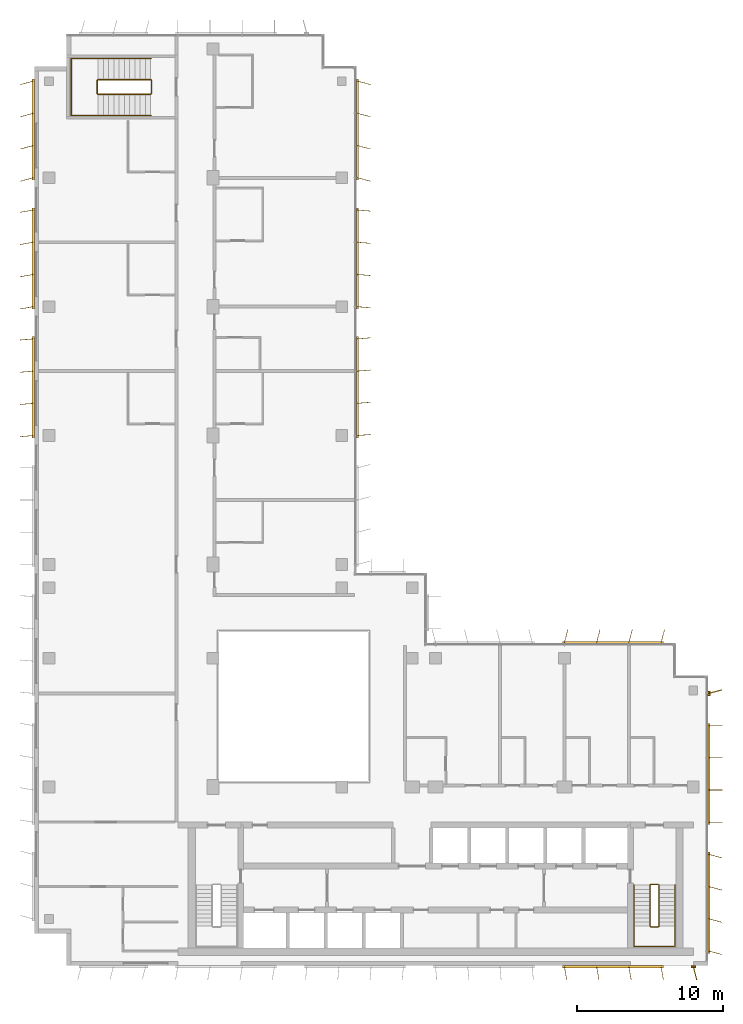
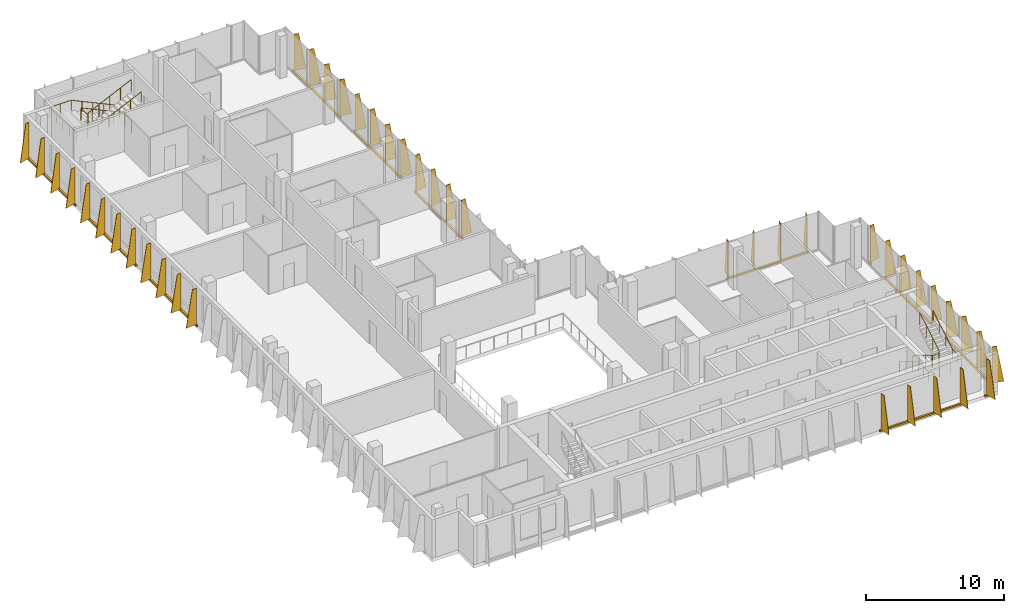
# One storey, part 14 of 15: 12 shading devices, 4 railings.
"""IFC4 building model written with IfcOpenShell, lengths in metres."""

import ifcopenshell
import ifcopenshell.guid

model = None  # the IFC model being written
_history = None  # IfcOwnerHistory: only IFC2X3 demands one
_inside = {}  # id of a spatial element -> (the spatial element, [elements in it])
_under = {}  # id of a project, library or spatial element -> (it, [spatial elements below it])
_declared = {}  # id of a project -> (the project, [libraries it declares])
_typed = {}  # id of a type object -> (the type object, [elements of that type])
_made_of = {}  # id of a material, layer set ... -> (it, [elements and type objects made of it])


def new_model(schema):
    """Start an empty IFC model of exactly this schema.

    Asked for "IFC4X3", IfcOpenShell would pick the latest addendum, in which some entities
    have other attributes; the version numbers below select the first issue.
    IFC2X3 requires an IfcOwnerHistory on every rooted entity: one is made here for all.
    """
    global model, _history
    if schema == "IFC4X3":
        model = ifcopenshell.file(schema_version=(4, 3, 0, 0))
    else:
        model = ifcopenshell.file(schema=schema)
    _inside.clear()
    _under.clear()
    _declared.clear()
    _typed.clear()
    _made_of.clear()
    _history = None
    if model.schema == "IFC2X3":
        org = make("IfcOrganization", Name="unknown")
        user = make(
            "IfcPersonAndOrganization",
            ThePerson=make("IfcPerson", FamilyName="unknown"),
            TheOrganization=org,
        )
        app = make(
            "IfcApplication",
            ApplicationDeveloper=org,
            Version="unknown",
            ApplicationFullName="unknown",
            ApplicationIdentifier="unknown",
        )
        _history = make(
            "IfcOwnerHistory",
            OwningUser=user,
            OwningApplication=app,
            ChangeAction="ADDED",
            CreationDate=0,
        )
    return model


def make(cls, **values):
    """One entity of the class cls with the attributes given. An attribute that is None is left unset."""
    return model.create_entity(
        cls, **{name: value for name, value in values.items() if value is not None}
    )


def rooted(cls, **values):
    """An entity with a GlobalId (a new one), such as an element, a storey or a relation."""
    return make(cls, GlobalId=ifcopenshell.guid.new(), OwnerHistory=_history, **values)


def si_unit(unit_type, name, prefix=None):
    """IfcSIUnit, for example si_unit("LENGTHUNIT", "METRE", prefix="MILLI")."""
    return make("IfcSIUnit", UnitType=unit_type, Prefix=prefix, Name=name)


def assignment(units):
    """IfcUnitAssignment: the units of a project."""
    return None if units is None else make("IfcUnitAssignment", Units=units)


def point(xyz):
    """IfcCartesianPoint."""
    return None if xyz is None else make("IfcCartesianPoint", Coordinates=xyz)


def direction(xyz):
    """IfcDirection."""
    return None if xyz is None else make("IfcDirection", DirectionRatios=xyz)


def frame(location, z_axis=None, x_axis=None):
    """IfcAxis2Placement3D, a coordinate frame: its origin and axes. An axis left out is left unset."""
    return make(
        "IfcAxis2Placement3D",
        Location=point(location),
        Axis=direction(z_axis),
        RefDirection=direction(x_axis),
    )


def frame_2d(location, x_axis=None):
    """IfcAxis2Placement2D, a coordinate frame in the plane: its origin and x axis."""
    return make(
        "IfcAxis2Placement2D", Location=point(location), RefDirection=direction(x_axis)
    )


def origin():
    """The frame at (0, 0, 0) with its axes left unset."""
    return frame((0.0, 0.0, 0.0))


def origin_2d():
    """The frame at (0, 0) in the plane with its x axis left unset."""
    return frame_2d((0.0, 0.0))


def place(relative_to, where):
    """IfcLocalPlacement: puts the frame where relative to a parent placement (None: the world)."""
    return make(
        "IfcLocalPlacement", PlacementRelTo=relative_to, RelativePlacement=where
    )


def context(
    kind, dimensions, precision=None, world=None, true_north=None, identifier=None
):
    """IfcGeometricRepresentationContext, for example the 3D "Model" context."""
    return make(
        "IfcGeometricRepresentationContext",
        ContextIdentifier=identifier,
        ContextType=kind,
        CoordinateSpaceDimension=dimensions,
        Precision=precision,
        WorldCoordinateSystem=world,
        TrueNorth=true_north,
    )


def subcontext(parent, identifier, kind, view, scale=None):
    """IfcGeometricRepresentationSubContext, for example "Body" below "Model"."""
    return make(
        "IfcGeometricRepresentationSubContext",
        ContextIdentifier=identifier,
        ContextType=kind,
        ParentContext=parent,
        TargetScale=scale,
        TargetView=view,
    )


def project(units=None, contexts=None):
    """IfcProject with its units and contexts."""
    return rooted(
        "IfcProject",
        Name="project",
        RepresentationContexts=contexts,
        UnitsInContext=assignment(units),
    )


def spatial(cls, under=None, at=None, **own):
    """A site, building, storey or space (cls), placed at a placement, below another one or the project."""
    s = rooted(cls, ObjectPlacement=at, **own)
    if under is not None:
        _under.setdefault(under.id(), (under, []))[1].append(s)
    return s


def polyline(points):
    """IfcPolyline through the points."""
    return make("IfcPolyline", Points=[point(p) for p in points])


def profile(cls, at=None, kind="AREA", **sizes):
    """A parametric profile (cls). Its sizes go by their IFC names, for example OverallWidth=200.0."""
    return make(cls, ProfileType=kind, Position=at, **sizes)


def rectangle(**sizes):
    """IfcRectangleProfileDef."""
    return profile("IfcRectangleProfileDef", **sizes)


def circle(**sizes):
    """IfcCircleProfileDef."""
    return profile("IfcCircleProfileDef", **sizes)


def outline(outer, holes=None, kind="AREA"):
    """IfcArbitraryClosedProfileDef: a profile drawn as a closed curve; with holes, ...WithVoids."""
    if holes is None:
        return make("IfcArbitraryClosedProfileDef", ProfileType=kind, OuterCurve=outer)
    return make(
        "IfcArbitraryProfileDefWithVoids",
        ProfileType=kind,
        OuterCurve=outer,
        InnerCurves=holes,
    )


def extrude(swept, where, along, depth):
    """IfcExtrudedAreaSolid: the profile swept, set in the frame where, extruded along a direction by depth."""
    return make(
        "IfcExtrudedAreaSolid",
        SweptArea=swept,
        Position=where,
        ExtrudedDirection=direction(along),
        Depth=depth,
    )


def shape(context_of_items, identifier, shape_type, items):
    """IfcShapeRepresentation: the items that make up one representation, for example the "Body"."""
    return make(
        "IfcShapeRepresentation",
        ContextOfItems=context_of_items,
        RepresentationIdentifier=identifier,
        RepresentationType=shape_type,
        Items=items,
    )


def source(mapping_origin, context_of_items, identifier, shape_type, items):
    """IfcRepresentationMap: a shape defined once, which mapped items show again and again."""
    return make(
        "IfcRepresentationMap",
        MappingOrigin=mapping_origin,
        MappedRepresentation=shape(context_of_items, identifier, shape_type, items),
    )


def transform(
    local_origin,
    x_axis=None,
    y_axis=None,
    z_axis=None,
    scale=None,
    scale2=None,
    scale3=None,
    uniform=True,
):
    """IfcCartesianTransformationOperator3D, or its non-uniform kind. x_axis, y_axis, z_axis: its Axis1, 2, 3."""
    if uniform:
        return make(
            "IfcCartesianTransformationOperator3D",
            Axis1=direction(x_axis),
            Axis2=direction(y_axis),
            LocalOrigin=point(local_origin),
            Scale=scale,
            Axis3=direction(z_axis),
        )
    return make(
        "IfcCartesianTransformationOperator3DnonUniform",
        Axis1=direction(x_axis),
        Axis2=direction(y_axis),
        LocalOrigin=point(local_origin),
        Scale=scale,
        Axis3=direction(z_axis),
        Scale2=scale2,
        Scale3=scale3,
    )


def mapped(mapping_source, mapping_target):
    """IfcMappedItem: shows the shape of a source again, moved by a transform."""
    return make(
        "IfcMappedItem", MappingSource=mapping_source, MappingTarget=mapping_target
    )


def material(Name=None, Category=None):
    """IfcMaterial."""
    return make("IfcMaterial", Name=Name, Category=Category)


def layer(
    of_material, thickness, ventilated=None, Name=None, Category=None, Priority=None
):
    """IfcMaterialLayer: one layer of a wall or slab, of a material (None: an air gap)."""
    return make(
        "IfcMaterialLayer",
        Material=of_material,
        LayerThickness=thickness,
        IsVentilated=ventilated,
        Name=Name,
        Category=Category,
        Priority=Priority,
    )


def layer_set(layers, Name=None):
    """IfcMaterialLayerSet."""
    return make("IfcMaterialLayerSet", MaterialLayers=layers, LayerSetName=Name)


def made_of(thing, what):
    """Note that an element or type object is made of a material, layer set ...; save() writes the relation."""
    if what is not None:
        _made_of.setdefault(what.id(), (what, []))[1].append(thing)
    return thing


def type_object(cls, material=None, **own):
    """A type object (cls), such as IfcWallType, which elements share."""
    return made_of(rooted(cls, **own), material)


def element(
    cls,
    number,
    at=None,
    inside=None,
    cuts=None,
    type_object=None,
    material=None,
    context=None,
    identifier="Body",
    shape_type=None,
    held_by="IfcProductDefinitionShape",
    body=None,
    shapes=None,
    **own,
):
    """One element of the class cls, such as IfcWall. Its Tag is "e" and its number.

    at: its placement. inside: the storey or other place that contains it. cuts: it is an
    opening in that element (IfcRelVoidsElement). A single representation is given by context,
    identifier, shape_type and body (its items); several are given by shapes. held_by: the class
    of the entity that holds the representations. save() writes the other relations.
    """
    e = rooted(cls, Tag="e%d" % number, ObjectPlacement=at, **own)
    if body is not None:
        shapes = [shape(context, identifier, shape_type, body)]
    if shapes is not None:
        e.Representation = make(held_by, Representations=shapes)
    if inside is not None:
        _inside.setdefault(inside.id(), (inside, []))[1].append(e)
    if cuts is not None:
        rooted(
            "IfcRelVoidsElement", RelatingBuildingElement=cuts, RelatedOpeningElement=e
        )
    if type_object is not None:
        _typed.setdefault(type_object.id(), (type_object, []))[1].append(e)
    return made_of(e, material)


def aggregate(whole, parts):
    """IfcRelAggregates: a whole, such as a stair, and the parts it consists of."""
    return rooted("IfcRelAggregates", RelatingObject=whole, RelatedObjects=parts)


def save(model, path):
    """Write the relations noted so far, then the file.

    IfcRelAggregates (storeys below a building ...), IfcRelContainedInSpatialStructure (elements
    in a storey), IfcRelDefinesByType, IfcRelAssociatesMaterial and IfcRelDeclares: one each for
    every whole, place, type object, material and project.
    """
    for whole, parts in _under.values():
        aggregate(whole, parts)
    for where, things in _inside.values():
        rooted(
            "IfcRelContainedInSpatialStructure",
            RelatedElements=things,
            RelatingStructure=where,
        )
    for kind, things in _typed.values():
        rooted("IfcRelDefinesByType", RelatedObjects=things, RelatingType=kind)
    for what, things in _made_of.values():
        rooted("IfcRelAssociatesMaterial", RelatedObjects=things, RelatingMaterial=what)
    for by, libraries in _declared.values():
        rooted("IfcRelDeclares", RelatingContext=by, RelatedDefinitions=libraries)
    model.write(path)


model = new_model("IFC4")

# Units and contexts
model_context = context("Model", 3, precision=1e-05, world=origin(), true_north=direction((0.0, 1.0)))
body_context = subcontext(model_context, "Body", "Model", "MODEL_VIEW")
ifc_project = project(units=[si_unit("LENGTHUNIT", "METRE"), si_unit("AREAUNIT", "SQUARE_METRE"), si_unit("VOLUMEUNIT", "CUBIC_METRE"), si_unit("PLANEANGLEUNIT", "RADIAN"), si_unit("MASSUNIT", "GRAM", prefix="KILO")], contexts=[model_context])

# Site, building, storey
site_placement = place(None, origin())
site = spatial("IfcSite", under=ifc_project, at=site_placement, CompositionType="ELEMENT")
building_placement = place(site_placement, origin())
building = spatial("IfcBuilding", under=site, at=building_placement, Name="Kemantara Hotel Tower", CompositionType="ELEMENT")
storey_placement = place(building_placement, frame((0.0, 0.0, 298.10009765625)))
storey = spatial("IfcBuildingStorey", under=building, at=storey_placement, Name="L75", CompositionType="ELEMENT", Elevation=298.10009765625)

# Railings
ifc_material_1 = material(Name="Stainless steel balustrade", Category="steel")
railing_type_1 = type_object("IfcRailingType", Name="Stair guard 1100 mm", PredefinedType="GUARDRAIL", material=ifc_material_1)
railing_1_placement = place(storey_placement, frame((42.64990234375, 5.5, 3.699951171875)))
element("IfcRailing", 1, at=railing_1_placement, inside=storey, type_object=railing_type_1, Name="L75 ST2 stair guard 1", PredefinedType="GUARDRAIL", context=body_context, shape_type="SweptSolid", body=[
    extrude(circle(Radius=0.02392578125, at=origin_2d()), frame((0.0, 0.0, 1.076171875), z_axis=(0.0, -0.857242210791, -0.514913383045), x_axis=(1.0, 0.0, 0.0)), (0.0, 0.0, 1.0), 3.266357421875),
    extrude(circle(Radius=0.02392578125, at=origin_2d()), frame((0.0, -2.800048828125, -0.60595703125), z_axis=(-0.273006030465, -0.27434429532, -0.922064485248), x_axis=(0.708833529934, -0.705375805398, 0.0)), (0.0, 0.0, 1.0), 0.182373046875),
    extrude(circle(Radius=0.02392578125, at=origin_2d()), frame((-0.0498046875, -2.85009765625, -0.77392578125), z_axis=(-1.0, 0.0, 0.0), x_axis=(0.0, -1.0, 0.0)), (0.0, 0.0, 1.0), 0.5),
    extrude(circle(Radius=0.02392578125, at=origin_2d()), frame((-0.5498046875, -2.85009765625, -0.77392578125), z_axis=(-0.707106781187, 0.707106781187, 0.0), x_axis=(-0.707106781187, -0.707106781187, 0.0)), (0.0, 0.0, 1.0), 0.07080078125),
    extrude(circle(Radius=0.02392578125, at=origin_2d()), frame((-0.599853515625, -2.800048828125, -0.77392578125), z_axis=(0.0, 0.857242210791, -0.514913383045), x_axis=(-1.0, 0.0, 0.0)), (0.0, 0.0, 1.0), 3.266357421875),
    extrude(circle(Radius=0.02392578125, at=origin_2d()), frame((-0.599853515625, 0.0, -2.4560546875), z_axis=(0.274582412415, 0.274582412415, -0.921525364591), x_axis=(-0.707106781187, 0.707106781187, 0.0)), (0.0, 0.0, 1.0), 0.182373046875),
    extrude(circle(Radius=0.02392578125, at=origin_2d()), frame((-0.5498046875, 0.050048828125, -2.6240234375), z_axis=(1.0, 0.0, 0.0), x_axis=(0.0, 1.0, 0.0)), (0.0, 0.0, 1.0), 0.5),
    extrude(circle(Radius=0.02099609375, at=origin_2d()), origin(), (0.0, 0.0, 1.0), 1.052001953125),
    extrude(circle(Radius=0.02099609375, at=origin_2d()), frame((0.0, -0.933349609375, -0.560546875)), (0.0, 0.0, 1.0), 1.052001953125),
    extrude(circle(Radius=0.02099609375, at=origin_2d()), frame((0.0, -1.86669921875, -1.121337890625)), (0.0, 0.0, 1.0), 1.052001953125),
    extrude(circle(Radius=0.02099609375, at=origin_2d()), frame((0.0, -2.800048828125, -1.681884765625)), (0.0, 0.0, 1.0), 1.052001953125),
    extrude(circle(Radius=0.02099609375, at=origin_2d()), frame((-0.0498046875, -2.85009765625, -1.85009765625)), (0.0, 0.0, 1.0), 1.052001953125),
    extrude(circle(Radius=0.02099609375, at=origin_2d()), frame((-0.5498046875, -2.85009765625, -1.85009765625)), (0.0, 0.0, 1.0), 1.052001953125),
    extrude(circle(Radius=0.02099609375, at=origin_2d()), frame((-0.599853515625, -2.800048828125, -1.85009765625)), (0.0, 0.0, 1.0), 1.052001953125),
    extrude(circle(Radius=0.02099609375, at=origin_2d()), frame((-0.599853515625, -1.86669921875, -2.41064453125)), (0.0, 0.0, 1.0), 1.052001953125),
    extrude(circle(Radius=0.02099609375, at=origin_2d()), frame((-0.599853515625, -0.933349609375, -2.971435546875)), (0.0, 0.0, 1.0), 1.052001953125),
    extrude(circle(Radius=0.02099609375, at=origin_2d()), frame((-0.599853515625, 0.0, -3.531982421875)), (0.0, 0.0, 1.0), 1.052001953125),
    extrude(circle(Radius=0.02099609375, at=origin_2d()), frame((-0.5498046875, 0.050048828125, -3.699951171875)), (0.0, 0.0, 1.0), 1.052001953125),
    extrude(circle(Radius=0.02099609375, at=origin_2d()), frame((-0.0498046875, 0.050048828125, -3.699951171875)), (0.0, 0.0, 1.0), 1.052001953125),
])
railing_2_placement = place(storey_placement, frame((7.949951171875, 59.5, 3.699951171875)))
element("IfcRailing", 2, at=railing_2_placement, inside=storey, type_object=railing_type_1, Name="L75 ST4 stair guard 1", PredefinedType="GUARDRAIL", context=body_context, shape_type="SweptSolid", body=[
    extrude(circle(Radius=0.02392578125, at=origin_2d()), frame((0.0, 0.0, 1.076171875), z_axis=(-0.905994681025, 0.0, -0.423289071386), x_axis=(0.0, -1.0, 0.0)), (0.0, 0.0, 1.0), 3.973388671875),
    extrude(circle(Radius=0.02392578125, at=origin_2d()), frame((-3.599853515625, 0.0, -0.60595703125), z_axis=(-0.274243871929, 0.274243871929, -0.92172696468), x_axis=(-0.707106781187, -0.707106781187, 0.0)), (0.0, 0.0, 1.0), 0.1826171875),
    extrude(circle(Radius=0.02392578125, at=origin_2d()), frame((-3.64990234375, 0.050048828125, -0.77392578125), z_axis=(0.0, 1.0, 0.0), x_axis=(-1.0, 0.0, 0.0)), (0.0, 0.0, 1.0), 0.89990234375),
    extrude(circle(Radius=0.02392578125, at=origin_2d()), frame((-3.64990234375, 0.949951171875, -0.77392578125), z_axis=(0.707106781187, 0.707106781187, 0.0), x_axis=(-0.707106781187, 0.707106781187, 0.0)), (0.0, 0.0, 1.0), 0.07080078125),
    extrude(circle(Radius=0.02392578125, at=origin_2d()), frame((-3.599853515625, 1.0, -0.77392578125), z_axis=(0.905994681025, 0.0, -0.423289071386), x_axis=(0.0, 1.0, 0.0)), (0.0, 0.0, 1.0), 3.973388671875),
    extrude(circle(Radius=0.02392578125, at=origin_2d()), frame((0.0, 1.0, -2.4560546875), z_axis=(0.274582412415, -0.274582412415, -0.921525364591), x_axis=(0.707106781187, 0.707106781187, 0.0)), (0.0, 0.0, 1.0), 0.182373046875),
    extrude(circle(Radius=0.02392578125, at=origin_2d()), frame((0.050048828125, 0.949951171875, -2.6240234375), z_axis=(0.0, -1.0, 0.0), x_axis=(1.0, 0.0, 0.0)), (0.0, 0.0, 1.0), 0.89990234375),
    extrude(circle(Radius=0.02099609375, at=origin_2d()), origin(), (0.0, 0.0, 1.0), 1.052001953125),
    extrude(circle(Radius=0.02099609375, at=origin_2d()), frame((-0.89990234375, 0.0, -0.42041015625)), (0.0, 0.0, 1.0), 1.052001953125),
    extrude(circle(Radius=0.02099609375, at=origin_2d()), frame((-1.7998046875, 0.0, -0.8408203125)), (0.0, 0.0, 1.0), 1.052001953125),
    extrude(circle(Radius=0.02099609375, at=origin_2d()), frame((-2.699951171875, 0.0, -1.261474609375)), (0.0, 0.0, 1.0), 1.052001953125),
    extrude(circle(Radius=0.02099609375, at=origin_2d()), frame((-3.599853515625, 0.0, -1.681884765625)), (0.0, 0.0, 1.0), 1.052001953125),
    extrude(circle(Radius=0.02099609375, at=origin_2d()), frame((-3.64990234375, 0.050048828125, -1.85009765625)), (0.0, 0.0, 1.0), 1.052001953125),
    extrude(circle(Radius=0.02099609375, at=origin_2d()), frame((-3.64990234375, 0.949951171875, -1.85009765625)), (0.0, 0.0, 1.0), 1.052001953125),
    extrude(circle(Radius=0.02099609375, at=origin_2d()), frame((-3.599853515625, 1.0, -1.85009765625)), (0.0, 0.0, 1.0), 1.052001953125),
    extrude(circle(Radius=0.02099609375, at=origin_2d()), frame((-2.699951171875, 1.0, -2.2705078125)), (0.0, 0.0, 1.0), 1.052001953125),
    extrude(circle(Radius=0.02099609375, at=origin_2d()), frame((-1.7998046875, 1.0, -2.69091796875)), (0.0, 0.0, 1.0), 1.052001953125),
    extrude(circle(Radius=0.02099609375, at=origin_2d()), frame((-0.89990234375, 1.0, -3.111572265625)), (0.0, 0.0, 1.0), 1.052001953125),
    extrude(circle(Radius=0.02099609375, at=origin_2d()), frame((0.0, 1.0, -3.531982421875)), (0.0, 0.0, 1.0), 1.052001953125),
    extrude(circle(Radius=0.02099609375, at=origin_2d()), frame((0.050048828125, 0.949951171875, -3.699951171875)), (0.0, 0.0, 1.0), 1.052001953125),
    extrude(circle(Radius=0.02099609375, at=origin_2d()), frame((0.050048828125, 0.050048828125, -3.699951171875)), (0.0, 0.0, 1.0), 1.052001953125),
])
railing_type_2 = type_object("IfcRailingType", Name="Stair handrail 900 mm", PredefinedType="HANDRAIL", material=ifc_material_1)
railing_3_placement = place(storey_placement, frame((40.949951171875, 5.5, 0.16796875)))
element("IfcRailing", 3, at=railing_3_placement, inside=storey, type_object=railing_type_2, Name="L75 ST2 stair handrail 1", PredefinedType="HANDRAIL", context=body_context, shape_type="SweptSolid", body=[
    extrude(circle(Radius=0.02392578125, at=origin_2d()), frame((0.0, 0.0, 0.8759765625), z_axis=(0.0, -0.857242210791, 0.514913383045), x_axis=(1.0, 0.0, 0.0)), (0.0, 0.0, 1.0), 3.266357421875),
    extrude(circle(Radius=0.02392578125, at=origin_2d()), frame((0.0, -2.800048828125, 2.5576171875), z_axis=(0.0, -1.0, 0.0), x_axis=(1.0, 0.0, 0.0)), (0.0, 0.0, 1.0), 1.3798828125),
    extrude(circle(Radius=0.02392578125, at=origin_2d()), frame((0.0, -4.179931640625, 2.5576171875), z_axis=(0.998200367801, 0.0, 0.059966871865), x_axis=(0.0, 1.0, 0.0)), (0.0, 0.0, 1.0), 2.80517578125),
    extrude(circle(Radius=0.02392578125, at=origin_2d()), frame((2.800048828125, -4.179931640625, 2.72607421875), z_axis=(0.0, 1.0, 0.0), x_axis=(-1.0, 0.0, 0.0)), (0.0, 0.0, 1.0), 1.3798828125),
    extrude(circle(Radius=0.02392578125, at=origin_2d()), frame((2.800048828125, -2.800048828125, 2.72607421875), z_axis=(0.0, 0.857242210791, 0.514913383045), x_axis=(-1.0, 0.0, 0.0)), (0.0, 0.0, 1.0), 3.266357421875),
    extrude(circle(Radius=0.02099609375, at=origin_2d()), origin(), (0.0, 0.0, 1.0), 0.851806640625),
    extrude(circle(Radius=0.02099609375, at=origin_2d()), frame((0.0, -0.933349609375, 0.560546875)), (0.0, 0.0, 1.0), 0.851806640625),
    extrude(circle(Radius=0.02099609375, at=origin_2d()), frame((0.0, -1.86669921875, 1.121337890625)), (0.0, 0.0, 1.0), 0.851806640625),
    extrude(circle(Radius=0.02099609375, at=origin_2d()), frame((0.0, -2.800048828125, 1.681884765625)), (0.0, 0.0, 1.0), 0.851806640625),
    extrude(circle(Radius=0.02099609375, at=origin_2d()), frame((0.0, -3.489990234375, 1.681884765625)), (0.0, 0.0, 1.0), 0.851806640625),
    extrude(circle(Radius=0.02099609375, at=origin_2d()), frame((0.0, -4.179931640625, 1.681884765625)), (0.0, 0.0, 1.0), 0.851806640625),
    extrude(circle(Radius=0.02099609375, at=origin_2d()), frame((0.933349609375, -4.179931640625, 1.738037109375)), (0.0, 0.0, 1.0), 0.851806640625),
    extrude(circle(Radius=0.02099609375, at=origin_2d()), frame((1.86669921875, -4.179931640625, 1.7939453125)), (0.0, 0.0, 1.0), 0.851806640625),
    extrude(circle(Radius=0.02099609375, at=origin_2d()), frame((2.800048828125, -4.179931640625, 1.85009765625)), (0.0, 0.0, 1.0), 0.851806640625),
    extrude(circle(Radius=0.02099609375, at=origin_2d()), frame((2.800048828125, -3.489990234375, 1.85009765625)), (0.0, 0.0, 1.0), 0.851806640625),
    extrude(circle(Radius=0.02099609375, at=origin_2d()), frame((2.800048828125, -2.800048828125, 1.85009765625)), (0.0, 0.0, 1.0), 0.851806640625),
    extrude(circle(Radius=0.02099609375, at=origin_2d()), frame((2.800048828125, -1.86669921875, 2.41064453125)), (0.0, 0.0, 1.0), 0.851806640625),
    extrude(circle(Radius=0.02099609375, at=origin_2d()), frame((2.800048828125, -0.933349609375, 2.971435546875)), (0.0, 0.0, 1.0), 0.851806640625),
    extrude(circle(Radius=0.02099609375, at=origin_2d()), frame((2.800048828125, 0.0, 3.531982421875)), (0.0, 0.0, 1.0), 0.851806640625),
])
railing_4_placement = place(storey_placement, frame((7.949951171875, 61.949951171875, 0.16796875)))
element("IfcRailing", 4, at=railing_4_placement, inside=storey, type_object=railing_type_2, Name="L75 ST4 stair handrail 1", PredefinedType="HANDRAIL", context=body_context, shape_type="SweptSolid", body=[
    extrude(circle(Radius=0.02392578125, at=origin_2d()), frame((0.0, 0.0, 0.8759765625), z_axis=(-0.905994681025, 0.0, 0.423289071386), x_axis=(0.0, -1.0, 0.0)), (0.0, 0.0, 1.0), 3.973388671875),
    extrude(circle(Radius=0.02392578125, at=origin_2d()), frame((-3.599853515625, 0.0, 2.5576171875), z_axis=(-1.0, 0.0, 0.0), x_axis=(0.0, -1.0, 0.0)), (0.0, 0.0, 1.0), 1.830078125),
    extrude(circle(Radius=0.02392578125, at=origin_2d()), frame((-5.429931640625, 0.0, 2.5576171875), z_axis=(0.0, -0.999071085748, 0.043092523981), x_axis=(1.0, 0.0, 0.0)), (0.0, 0.0, 1.0), 3.903564453125),
    extrude(circle(Radius=0.02392578125, at=origin_2d()), frame((-5.429931640625, -3.89990234375, 2.72607421875), z_axis=(1.0, 0.0, 0.0), x_axis=(0.0, 1.0, 0.0)), (0.0, 0.0, 1.0), 1.830078125),
    extrude(circle(Radius=0.02392578125, at=origin_2d()), frame((-3.599853515625, -3.89990234375, 2.72607421875), z_axis=(0.905994681025, 0.0, 0.423289071386), x_axis=(0.0, 1.0, 0.0)), (0.0, 0.0, 1.0), 3.973388671875),
    extrude(circle(Radius=0.02099609375, at=origin_2d()), origin(), (0.0, 0.0, 1.0), 0.851806640625),
    extrude(circle(Radius=0.02099609375, at=origin_2d()), frame((-0.89990234375, 0.0, 0.42041015625)), (0.0, 0.0, 1.0), 0.851806640625),
    extrude(circle(Radius=0.02099609375, at=origin_2d()), frame((-1.7998046875, 0.0, 0.8408203125)), (0.0, 0.0, 1.0), 0.851806640625),
    extrude(circle(Radius=0.02099609375, at=origin_2d()), frame((-2.699951171875, 0.0, 1.261474609375)), (0.0, 0.0, 1.0), 0.851806640625),
    extrude(circle(Radius=0.02099609375, at=origin_2d()), frame((-3.599853515625, 0.0, 1.681884765625)), (0.0, 0.0, 1.0), 0.851806640625),
    extrude(circle(Radius=0.02099609375, at=origin_2d()), frame((-4.514892578125, 0.0, 1.681884765625)), (0.0, 0.0, 1.0), 0.851806640625),
    extrude(circle(Radius=0.02099609375, at=origin_2d()), frame((-5.429931640625, 0.0, 1.681884765625)), (0.0, 0.0, 1.0), 0.851806640625),
    extrude(circle(Radius=0.02099609375, at=origin_2d()), frame((-5.429931640625, -0.97509765625, 1.723876953125)), (0.0, 0.0, 1.0), 0.851806640625),
    extrude(circle(Radius=0.02099609375, at=origin_2d()), frame((-5.429931640625, -1.949951171875, 1.76611328125)), (0.0, 0.0, 1.0), 0.851806640625),
    extrude(circle(Radius=0.02099609375, at=origin_2d()), frame((-5.429931640625, -2.9248046875, 1.80810546875)), (0.0, 0.0, 1.0), 0.851806640625),
    extrude(circle(Radius=0.02099609375, at=origin_2d()), frame((-5.429931640625, -3.89990234375, 1.85009765625)), (0.0, 0.0, 1.0), 0.851806640625),
    extrude(circle(Radius=0.02099609375, at=origin_2d()), frame((-4.514892578125, -3.89990234375, 1.85009765625)), (0.0, 0.0, 1.0), 0.851806640625),
    extrude(circle(Radius=0.02099609375, at=origin_2d()), frame((-3.599853515625, -3.89990234375, 1.85009765625)), (0.0, 0.0, 1.0), 0.851806640625),
    extrude(circle(Radius=0.02099609375, at=origin_2d()), frame((-2.699951171875, -3.89990234375, 2.2705078125)), (0.0, 0.0, 1.0), 0.851806640625),
    extrude(circle(Radius=0.02099609375, at=origin_2d()), frame((-1.7998046875, -3.89990234375, 2.69091796875)), (0.0, 0.0, 1.0), 0.851806640625),
    extrude(circle(Radius=0.02099609375, at=origin_2d()), frame((-0.89990234375, -3.89990234375, 3.111572265625)), (0.0, 0.0, 1.0), 0.851806640625),
    extrude(circle(Radius=0.02099609375, at=origin_2d()), frame((0.0, -3.89990234375, 3.531982421875)), (0.0, 0.0, 1.0), 0.851806640625),
])

# Shading devices
ifc_material_2 = material(Name="Perforated aluminium plate 4 mm bronze anodised", Category="aluminium")
ifc_layer_1 = layer(ifc_material_2, 0.0400390625)
ifc_layer_set_1 = layer_set([ifc_layer_1], Name="Perforated aluminium plate 4 mm bronze anodised")
shading_device_type_1 = type_object("IfcShadingDeviceType", Name="SCREEN FIN CASSETTE, 4 BLADES AT -5.0 DEG, 3200 HIGH", PredefinedType="USERDEFINED", material=ifc_layer_set_1)
shared_shape_1 = source(origin(), body_context, "Body", "SweptSolid", [
    extrude(rectangle(XDim=6.89990234375, YDim=0.14990234375, at=origin_2d()), frame((3.300048828125, -0.074951171875, -0.14990234375), z_axis=(0.0, 0.0, 1.0), x_axis=(1.0, 0.0, 0.0)), (0.0, 0.0, 1.0), 0.14990234375),
    extrude(outline(polyline([(0.0, 0.0), (0.89990234375, 0.0), (0.35009765625, 3.199951171875), (0.0, 3.199951171875), (0.0, 0.0)])), frame((0.02001953125, -0.07666015625, 0.0), z_axis=(-0.996376129781, 0.085056498884, 0.0), x_axis=(-0.085056498884, -0.996376129781, 0.0)), (0.0, 0.0, 1.0), 0.040283203125),
    extrude(outline(polyline([(0.0, 0.0), (0.89990234375, 0.0), (0.35009765625, 3.199951171875), (0.0, 3.199951171875), (0.0, 0.0)])), frame((2.219970703125, -0.07666015625, 0.0), z_axis=(-0.996331773833, 0.085574508182, 0.0), x_axis=(-0.085574508182, -0.996331773833, 0.0)), (0.0, 0.0, 1.0), 0.0400390625),
    extrude(outline(polyline([(0.0, 0.0), (0.89990234375, 0.0), (0.35009765625, 3.199951171875), (0.0, 3.199951171875), (0.0, 0.0)])), frame((4.419921875, -0.07666015625, 0.0), z_axis=(-0.996331773833, 0.085574508182, 0.0), x_axis=(-0.085574508182, -0.996331773833, 0.0)), (0.0, 0.0, 1.0), 0.0400390625),
    extrude(outline(polyline([(0.0, 0.0), (0.89990234375, 0.0), (0.35009765625, 3.199951171875), (0.0, 3.199951171875), (0.0, 0.0)])), frame((6.619873046875, -0.07666015625, 0.0), z_axis=(-0.996331773833, 0.085574508182, 0.0), x_axis=(-0.085574508182, -0.996331773833, 0.0)), (0.0, 0.0, 1.0), 0.0400390625),
])
shading_device_1_placement = place(storey_placement, frame((22.0, 45.0, 0.099853515625), z_axis=(0.0, 0.0, 1.0), x_axis=(0.0, 1.0, 0.0)))
element("IfcShadingDevice", 5, at=shading_device_1_placement, inside=storey, type_object=shading_device_type_1, Name="SCREEN FIN CASSETTE L75 T4-R15-3", ObjectType="SCREEN FIN", PredefinedType="USERDEFINED", context=body_context, shape_type="MappedRepresentation", body=[
    mapped(shared_shape_1, transform((0.0, 0.0, 0.0))),
])
ifc_layer_2 = layer(ifc_material_2, 0.0400390625)
ifc_layer_set_2 = layer_set([ifc_layer_2], Name="Perforated aluminium plate 4 mm bronze anodised")
shading_device_type_2 = type_object("IfcShadingDeviceType", Name="SCREEN FIN CASSETTE, 4 BLADES AT +0.0 DEG, 3200 HIGH", PredefinedType="USERDEFINED", material=ifc_layer_set_2)
shared_shape_2 = source(origin(), body_context, "Body", "SweptSolid", [
    extrude(rectangle(XDim=6.89990234375, YDim=0.14990234375, at=origin_2d()), frame((3.300048828125, -0.074951171875, -0.14990234375), z_axis=(0.0, 0.0, 1.0), x_axis=(1.0, 0.0, 0.0)), (0.0, 0.0, 1.0), 0.14990234375),
    extrude(outline(polyline([(0.0, 0.0), (0.89990234375, 0.0), (0.35009765625, 3.199951171875), (0.0, 3.199951171875), (0.0, 0.0)])), frame((0.02001953125, -0.074951171875, 0.0), z_axis=(-1.0, 0.0, 0.0), x_axis=(0.0, -1.0, 0.0)), (0.0, 0.0, 1.0), 0.0400390625),
    extrude(outline(polyline([(0.0, 0.0), (0.89990234375, 0.0), (0.35009765625, 3.199951171875), (0.0, 3.199951171875), (0.0, 0.0)])), frame((2.219970703125, -0.074951171875, 0.0), z_axis=(-1.0, 0.0, 0.0), x_axis=(0.0, -1.0, 0.0)), (0.0, 0.0, 1.0), 0.0400390625),
    extrude(outline(polyline([(0.0, 0.0), (0.89990234375, 0.0), (0.35009765625, 3.199951171875), (0.0, 3.199951171875), (0.0, 0.0)])), frame((4.419921875, -0.074951171875, 0.0), z_axis=(-1.0, 0.0, 0.0), x_axis=(0.0, -1.0, 0.0)), (0.0, 0.0, 1.0), 0.0400390625),
    extrude(outline(polyline([(0.0, 0.0), (0.89990234375, 0.0), (0.35009765625, 3.199951171875), (0.0, 3.199951171875), (0.0, 0.0)])), frame((6.6201171875, -0.074951171875, 0.0), z_axis=(-1.0, 0.0, 0.0), x_axis=(0.0, -1.0, 0.0)), (0.0, 0.0, 1.0), 0.0400390625),
])
shading_device_2_placement = place(storey_placement, frame((46.0, 9.800048828125, 0.099853515625), z_axis=(0.0, 0.0, 1.0), x_axis=(0.0, 1.0, 0.0)))
element("IfcShadingDevice", 6, at=shading_device_2_placement, inside=storey, type_object=shading_device_type_2, Name="SCREEN FIN CASSETTE L75 T4-R09-2", ObjectType="SCREEN FIN", PredefinedType="USERDEFINED", context=body_context, shape_type="MappedRepresentation", body=[
    mapped(shared_shape_2, transform((0.0, 0.0, 0.0))),
])
ifc_layer_3 = layer(ifc_material_2, 0.0400390625)
ifc_layer_set_3 = layer_set([ifc_layer_3], Name="Perforated aluminium plate 4 mm bronze anodised")
shading_device_type_3 = type_object("IfcShadingDeviceType", Name="SCREEN FIN CASSETTE, 4 BLADES AT +5.0 DEG, 3200 HIGH", PredefinedType="USERDEFINED", material=ifc_layer_set_3)
shared_shape_3 = source(origin(), body_context, "Body", "SweptSolid", [
    extrude(rectangle(XDim=6.89990234375, YDim=0.14990234375, at=origin_2d()), frame((3.300048828125, -0.074951171875, -0.14990234375), z_axis=(0.0, 0.0, 1.0), x_axis=(1.0, 0.0, 0.0)), (0.0, 0.0, 1.0), 0.14990234375),
    extrude(outline(polyline([(0.0, 0.0), (0.89990234375, 0.0), (0.35009765625, 3.199951171875), (0.0, 3.199951171875), (0.0, 0.0)])), frame((0.02001953125, -0.0732421875, 0.0), z_axis=(-0.996376129781, -0.085056498884, 0.0), x_axis=(0.085056498884, -0.996376129781, 0.0)), (0.0, 0.0, 1.0), 0.040283203125),
    extrude(outline(polyline([(0.0, 0.0), (0.89990234375, 0.0), (0.35009765625, 3.199951171875), (0.0, 3.199951171875), (0.0, 0.0)])), frame((2.219970703125, -0.0732421875, 0.0), z_axis=(-0.996331773833, -0.085574508182, 0.0), x_axis=(0.085574508182, -0.996331773833, 0.0)), (0.0, 0.0, 1.0), 0.0400390625),
    extrude(outline(polyline([(0.0, 0.0), (0.89990234375, 0.0), (0.35009765625, 3.199951171875), (0.0, 3.199951171875), (0.0, 0.0)])), frame((4.419921875, -0.0732421875, 0.0), z_axis=(-0.996331773833, -0.085574508182, 0.0), x_axis=(0.085574508182, -0.996331773833, 0.0)), (0.0, 0.0, 1.0), 0.0400390625),
    extrude(outline(polyline([(0.0, 0.0), (0.89990234375, 0.0), (0.35009765625, 3.199951171875), (0.0, 3.199951171875), (0.0, 0.0)])), frame((6.619873046875, -0.0732421875, 0.0), z_axis=(-0.996331773833, -0.085574508182, 0.0), x_axis=(0.085574508182, -0.996331773833, 0.0)), (0.0, 0.0, 1.0), 0.0400390625),
])
for number, where, z_axis, x_axis, name in (
    (7, (0.0, 42.800048828125, 0.099853515625), (0.0, 0.0, 1.0), (0.0, -1.0, 0.0), "SCREEN FIN CASSETTE L75 T4-R05-3"),
    (8, (22.0, 36.199951171875, 0.099853515625), (0.0, 0.0, 1.0), (0.0, 1.0, 0.0), "SCREEN FIN CASSETTE L75 T4-R15-2"),
):
    element("IfcShadingDevice", number, at=place(storey_placement, frame(where, z_axis=z_axis, x_axis=x_axis)), inside=storey, type_object=shading_device_type_3, Name=name, ObjectType="SCREEN FIN", PredefinedType="USERDEFINED", context=body_context, shape_type="MappedRepresentation", body=[
        mapped(shared_shape_3, transform((0.0, 0.0, 0.0))),
    ])
ifc_layer_4 = layer(ifc_material_2, 0.0400390625)
ifc_layer_set_4 = layer_set([ifc_layer_4], Name="Perforated aluminium plate 4 mm bronze anodised")
shading_device_type_4 = type_object("IfcShadingDeviceType", Name="SCREEN FIN CASSETTE, 4 BLADES AT +10.0 DEG, 3200 HIGH", PredefinedType="USERDEFINED", material=ifc_layer_set_4)
shared_shape_4 = source(origin(), body_context, "Body", "SweptSolid", [
    extrude(rectangle(XDim=6.89990234375, YDim=0.14990234375, at=origin_2d()), frame((3.300048828125, -0.074951171875, -0.14990234375), z_axis=(0.0, 0.0, 1.0), x_axis=(1.0, 0.0, 0.0)), (0.0, 0.0, 1.0), 0.14990234375),
    extrude(outline(polyline([(0.0, 0.0), (0.89990234375, 0.0), (0.35009765625, 3.199951171875), (0.0, 3.199951171875), (0.0, 0.0)])), frame((0.019775390625, -0.071533203125, 0.0), z_axis=(-0.985389793052, -0.170314285219, 0.0), x_axis=(0.170314285219, -0.985389793052, 0.0)), (0.0, 0.0, 1.0), 0.0400390625),
    extrude(outline(polyline([(0.0, 0.0), (0.89990234375, 0.0), (0.35009765625, 3.199951171875), (0.0, 3.199951171875), (0.0, 0.0)])), frame((2.2197265625, -0.071533203125, 0.0), z_axis=(-0.98521175482, -0.171341174751, 0.0), x_axis=(0.171341174751, -0.98521175482, 0.0)), (0.0, 0.0, 1.0), 0.039794921875),
    extrude(outline(polyline([(0.0, 0.0), (0.89990234375, 0.0), (0.35009765625, 3.199951171875), (0.0, 3.199951171875), (0.0, 0.0)])), frame((4.419677734375, -0.071533203125, 0.0), z_axis=(-0.98521175482, -0.171341174751, 0.0), x_axis=(0.171341174751, -0.98521175482, 0.0)), (0.0, 0.0, 1.0), 0.039794921875),
    extrude(outline(polyline([(0.0, 0.0), (0.89990234375, 0.0), (0.35009765625, 3.199951171875), (0.0, 3.199951171875), (0.0, 0.0)])), frame((6.61962890625, -0.071533203125, 0.0), z_axis=(-0.98521175482, -0.171341174751, 0.0), x_axis=(0.171341174751, -0.98521175482, 0.0)), (0.0, 0.0, 1.0), 0.039794921875),
])
for number, where, z_axis, x_axis, name in (
    (9, (0.0, 51.60009765625, 0.099853515625), (0.0, 0.0, 1.0), (0.0, -1.0, 0.0), "SCREEN FIN CASSETTE L75 T4-R05-2"),
    (10, (36.199951171875, 0.0, 0.099853515625), (0.0, 0.0, 1.0), (1.0, 0.0, 0.0), "SCREEN FIN CASSETTE L75 T4-R08-5"),
):
    element("IfcShadingDevice", number, at=place(storey_placement, frame(where, z_axis=z_axis, x_axis=x_axis)), inside=storey, type_object=shading_device_type_4, Name=name, ObjectType="SCREEN FIN", PredefinedType="USERDEFINED", context=body_context, shape_type="MappedRepresentation", body=[
        mapped(shared_shape_4, transform((0.0, 0.0, 0.0))),
    ])
ifc_layer_5 = layer(ifc_material_2, 0.0400390625)
ifc_layer_set_5 = layer_set([ifc_layer_5], Name="Perforated aluminium plate 4 mm bronze anodised")
shading_device_type_5 = type_object("IfcShadingDeviceType", Name="SCREEN FIN CASSETTE, 4 BLADES AT +15.0 DEG, 3200 HIGH", PredefinedType="USERDEFINED", material=ifc_layer_set_5)
shared_shape_5 = source(origin(), body_context, "Body", "SweptSolid", [
    extrude(rectangle(XDim=6.89990234375, YDim=0.14990234375, at=origin_2d()), frame((3.300048828125, -0.074951171875, -0.14990234375), z_axis=(0.0, 0.0, 1.0), x_axis=(1.0, 0.0, 0.0)), (0.0, 0.0, 1.0), 0.14990234375),
    extrude(outline(polyline([(0.0, 0.0), (0.89990234375, 0.0), (0.35009765625, 3.199951171875), (0.0, 3.199951171875), (0.0, 0.0)])), frame((0.019287109375, -0.06982421875, 0.0), z_axis=(-0.966437683387, -0.256901156343, 0.0), x_axis=(0.256901156343, -0.966437683387, 0.0)), (0.0, 0.0, 1.0), 0.039794921875),
    extrude(outline(polyline([(0.0, 0.0), (0.89990234375, 0.0), (0.35009765625, 3.199951171875), (0.0, 3.199951171875), (0.0, 0.0)])), frame((2.21923828125, -0.06982421875, 0.0), z_axis=(-0.966437683387, -0.256901156343, 0.0), x_axis=(0.256901156343, -0.966437683387, 0.0)), (0.0, 0.0, 1.0), 0.039794921875),
    extrude(outline(polyline([(0.0, 0.0), (0.89990234375, 0.0), (0.35009765625, 3.199951171875), (0.0, 3.199951171875), (0.0, 0.0)])), frame((4.41943359375, -0.06982421875, 0.0), z_axis=(-0.966837822169, -0.255391122837, 0.0), x_axis=(0.255391122837, -0.966837822169, 0.0)), (0.0, 0.0, 1.0), 0.0400390625),
    extrude(outline(polyline([(0.0, 0.0), (0.89990234375, 0.0), (0.35009765625, 3.199951171875), (0.0, 3.199951171875), (0.0, 0.0)])), frame((6.619384765625, -0.06982421875, 0.0), z_axis=(-0.966837822169, -0.255391122837, 0.0), x_axis=(0.255391122837, -0.966837822169, 0.0)), (0.0, 0.0, 1.0), 0.0400390625),
])
shading_device_3_placement = place(storey_placement, frame((0.0, 60.39990234375, 0.099853515625), z_axis=(0.0, 0.0, 1.0), x_axis=(0.0, -1.0, 0.0)))
element("IfcShadingDevice", 11, at=shading_device_3_placement, inside=storey, type_object=shading_device_type_5, Name="SCREEN FIN CASSETTE L75 T4-R05-1", ObjectType="SCREEN FIN", PredefinedType="USERDEFINED", context=body_context, shape_type="MappedRepresentation", body=[
    mapped(shared_shape_5, transform((0.0, 0.0, 0.0))),
])
ifc_layer_6 = layer(ifc_material_2, 0.0400390625)
ifc_layer_set_6 = layer_set([ifc_layer_6], Name="Perforated aluminium plate 4 mm bronze anodised")
shading_device_type_6 = type_object("IfcShadingDeviceType", Name="SCREEN FIN CASSETTE, 4 BLADES AT -15.0 DEG, 3200 HIGH", PredefinedType="USERDEFINED", material=ifc_layer_set_6)
shared_shape_6 = source(origin(), body_context, "Body", "SweptSolid", [
    extrude(rectangle(XDim=6.89990234375, YDim=0.14990234375, at=origin_2d()), frame((3.300048828125, -0.074951171875, -0.14990234375), z_axis=(0.0, 0.0, 1.0), x_axis=(1.0, 0.0, 0.0)), (0.0, 0.0, 1.0), 0.14990234375),
    extrude(outline(polyline([(0.0, 0.0), (0.89990234375, 0.0), (0.35009765625, 3.199951171875), (0.0, 3.199951171875), (0.0, 0.0)])), frame((0.019287109375, -0.080078125, 0.0), z_axis=(-0.966437683387, 0.256901156343, 0.0), x_axis=(-0.256901156343, -0.966437683387, 0.0)), (0.0, 0.0, 1.0), 0.039794921875),
    extrude(outline(polyline([(0.0, 0.0), (0.89990234375, 0.0), (0.35009765625, 3.199951171875), (0.0, 3.199951171875), (0.0, 0.0)])), frame((2.21923828125, -0.080078125, 0.0), z_axis=(-0.966437683387, 0.256901156343, 0.0), x_axis=(-0.256901156343, -0.966437683387, 0.0)), (0.0, 0.0, 1.0), 0.039794921875),
    extrude(outline(polyline([(0.0, 0.0), (0.89990234375, 0.0), (0.35009765625, 3.199951171875), (0.0, 3.199951171875), (0.0, 0.0)])), frame((4.41943359375, -0.080078125, 0.0), z_axis=(-0.966837822169, 0.255391122837, 0.0), x_axis=(-0.255391122837, -0.966837822169, 0.0)), (0.0, 0.0, 1.0), 0.0400390625),
    extrude(outline(polyline([(0.0, 0.0), (0.89990234375, 0.0), (0.35009765625, 3.199951171875), (0.0, 3.199951171875), (0.0, 0.0)])), frame((6.619384765625, -0.080078125, 0.0), z_axis=(-0.966837822169, 0.255391122837, 0.0), x_axis=(-0.255391122837, -0.966837822169, 0.0)), (0.0, 0.0, 1.0), 0.0400390625),
])
for number, where, z_axis, x_axis, name in (
    (12, (46.0, 1.0, 0.099853515625), (0.0, 0.0, 1.0), (0.0, 1.0, 0.0), "SCREEN FIN CASSETTE L75 T4-R09-1"),
    (13, (42.800048828125, 22.0, 0.099853515625), (0.0, 0.0, 1.0), (-1.0, 0.0, 0.0), "SCREEN FIN CASSETTE L75 T4-R12-1"),
    (14, (22.0, 53.800048828125, 0.099853515625), (0.0, 0.0, 1.0), (0.0, 1.0, 0.0), "SCREEN FIN CASSETTE L75 T4-R15-4"),
):
    element("IfcShadingDevice", number, at=place(storey_placement, frame(where, z_axis=z_axis, x_axis=x_axis)), inside=storey, type_object=shading_device_type_6, Name=name, ObjectType="SCREEN FIN", PredefinedType="USERDEFINED", context=body_context, shape_type="MappedRepresentation", body=[
        mapped(shared_shape_6, transform((0.0, 0.0, 0.0))),
    ])
ifc_layer_7 = layer(ifc_material_2, 0.0400390625)
ifc_layer_set_7 = layer_set([ifc_layer_7], Name="Perforated aluminium plate 4 mm bronze anodised")
shading_device_type_7 = type_object("IfcShadingDeviceType", Name="SCREEN FIN CASSETTE, 1 BLADE AT +15.0 DEG, 3200 HIGH", PredefinedType="USERDEFINED", material=ifc_layer_set_7)
shared_shape_7 = source(origin(), body_context, "Body", "SweptSolid", [
    extrude(rectangle(XDim=0.300048828125, YDim=0.14990234375, at=origin_2d()), frame((0.0, -0.074951171875, -0.14990234375), z_axis=(0.0, 0.0, 1.0), x_axis=(1.0, 0.0, 0.0)), (0.0, 0.0, 1.0), 0.14990234375),
    extrude(outline(polyline([(0.0, 0.0), (0.89990234375, 0.0), (0.35009765625, 3.199951171875), (0.0, 3.199951171875), (0.0, 0.0)])), frame((0.019287109375, -0.06982421875, 0.0), z_axis=(-0.966437683387, -0.256901156343, 0.0), x_axis=(0.256901156343, -0.966437683387, 0.0)), (0.0, 0.0, 1.0), 0.039794921875),
])
for number, where, z_axis, x_axis, name in (
    (15, (45.0, 0.0, 0.099853515625), (0.0, 0.0, 1.0), (1.0, 0.0, 0.0), "SCREEN FIN CASSETTE L75 T4-R08-6"),
    (16, (46.0, 18.60009765625, 0.099853515625), (0.0, 0.0, 1.0), (0.0, 1.0, 0.0), "SCREEN FIN CASSETTE L75 T4-R09-3"),
):
    element("IfcShadingDevice", number, at=place(storey_placement, frame(where, z_axis=z_axis, x_axis=x_axis)), inside=storey, type_object=shading_device_type_7, Name=name, ObjectType="SCREEN FIN", PredefinedType="USERDEFINED", context=body_context, shape_type="MappedRepresentation", body=[
        mapped(shared_shape_7, transform((0.0, 0.0, 0.0))),
    ])

save(model, "model.ifc")
